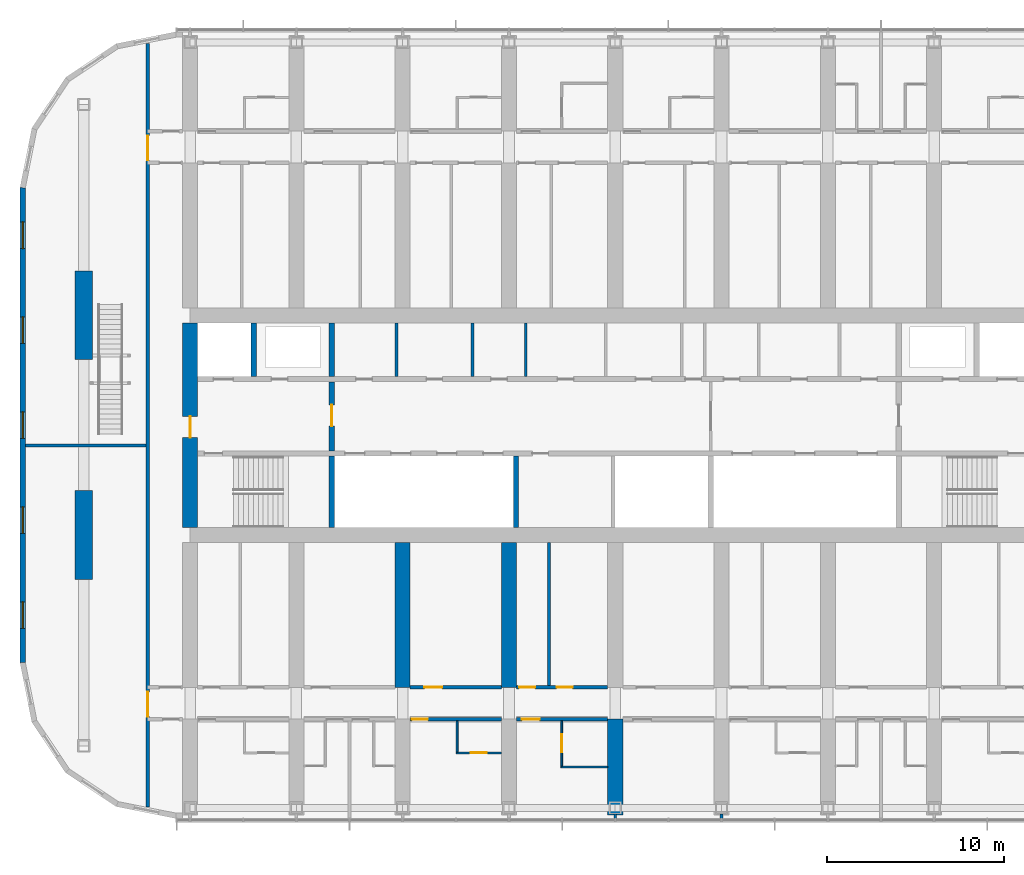
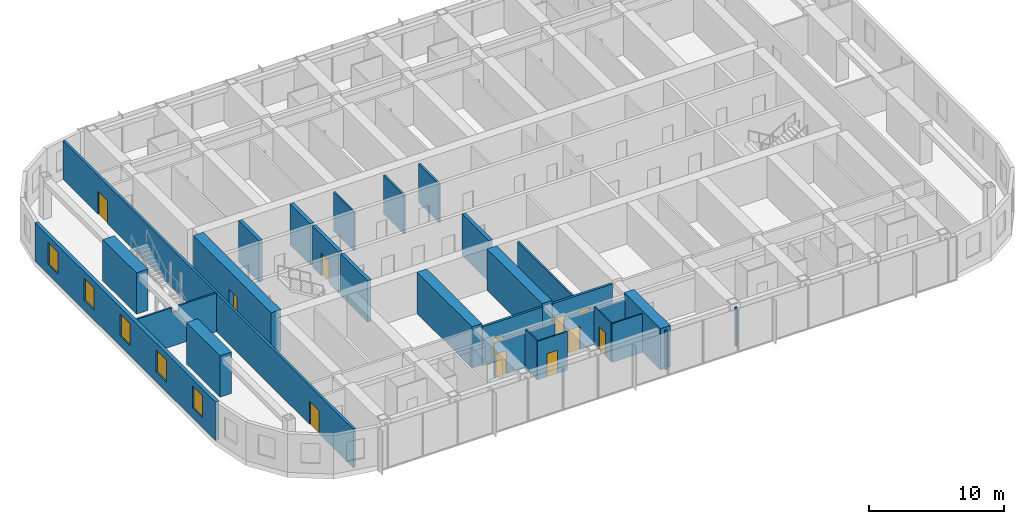
# One storey, part 14 of 28: 28 walls, 11 doors, 5 windows, 16 openings.
"""IFC4 building model written with IfcOpenShell, lengths in metres."""

from ifc_helpers import new_model, si_unit, direction, frame, frame_2d, origin, place, context, subcontext, project, spatial, polyline, rectangle, outline, extrude, material, layer, layer_set, type_object, element, fill, save


model = new_model("IFC4")

# Units and contexts
model_context = context("Model", 3, precision=1e-05, world=origin(), true_north=direction((0.0, 1.0)))
body_context = subcontext(model_context, "Body", "Model", "MODEL_VIEW")
ifc_project = project(units=[si_unit("LENGTHUNIT", "METRE"), si_unit("AREAUNIT", "SQUARE_METRE"), si_unit("VOLUMEUNIT", "CUBIC_METRE"), si_unit("PLANEANGLEUNIT", "RADIAN"), si_unit("MASSUNIT", "GRAM", prefix="KILO")], contexts=[model_context])

# Site, building, storey
site_placement = place(None, origin())
site = spatial("IfcSite", under=ifc_project, at=site_placement, CompositionType="ELEMENT")
building_placement = place(site_placement, origin())
building = spatial("IfcBuilding", under=site, at=building_placement, Name="Orbita Commons", CompositionType="ELEMENT")
storey_placement = place(building_placement, frame((0.0, 0.0, 193.60009765625)))
storey = spatial("IfcBuildingStorey", under=building, at=storey_placement, Name="L48", CompositionType="ELEMENT", Elevation=193.60009765625)

# Wall
ifc_material_1 = material(Name="Concrete C50/60", Category="concrete")
ifc_layer_1 = layer(ifc_material_1, 0.300048828125)
ifc_layer_set_1 = layer_set([ifc_layer_1], Name="Concrete C50/60")
wall_type_1 = type_object("IfcWallType", Name="Core inner wall 300 C50/60", PredefinedType="SHEAR", material=ifc_layer_set_1)
wall_1_placement = place(storey_placement, frame((26.0, 26.22509765625, 0.0), z_axis=(0.0, 0.0, 1.0), x_axis=(0.0, 1.0, 0.0)))
element("IfcWall", 1, at=wall_1_placement, inside=storey, type_object=wall_type_1, Name="Stair S1 wall L48", PredefinedType="SHEAR", context=body_context, shape_type="SweptSolid", body=[
    extrude(rectangle(XDim=4.02490234375, YDim=0.300048828125, at=frame_2d((2.012451171875, 0.0))), origin(), (0.0, 0.0, 1.0), 3.75),
])

# Wall, opening, door
wall_2_placement = place(storey_placement, frame((26.0, 30.550048828125, 0.0), z_axis=(0.0, 0.0, 1.0), x_axis=(0.0, 1.0, 0.0)))
wall_2 = element("IfcWall", 2, at=wall_2_placement, inside=storey, type_object=wall_type_1, Name="Firefighting lobby wall west L48", PredefinedType="SHEAR", context=body_context, shape_type="SweptSolid", body=[
    extrude(rectangle(XDim=3.89990234375, YDim=0.300048828125, at=frame_2d((1.949951171875, 0.0))), origin(), (0.0, 0.0, 1.0), 3.75),
])
opening_1_placement = place(wall_2_placement, frame((1.39990234375, 0.0, 0.0)))
opening_1 = element("IfcOpeningElement", 3, at=opening_1_placement, cuts=wall_2, Name="Opening D04", PredefinedType="OPENING", context=body_context, shape_type="SweptSolid", body=[
    extrude(rectangle(XDim=1.199951171875, YDim=2.10009765625, at=frame_2d((0.60009765625, 1.050048828125))), frame((0.0, 0.159912109375, 0.0), z_axis=(0.0, -1.0, 0.0), x_axis=(1.0, 0.0, 0.0)), (0.0, 0.0, 1.0), 0.320068359375),
])
ifc_material_2 = material(Name="Steel-faced fire door leaf", Category="steel")
door_type_1 = type_object("IfcDoorType", Name="Service door 20 min 1200x2100", OperationType="SINGLE_SWING_LEFT", PredefinedType="DOOR", material=ifc_material_2)
door_1_placement = place(opening_1_placement, origin())
door_1 = element("IfcDoor", 4, at=door_1_placement, inside=storey, type_object=door_type_1, Name="Lift lobby door west", OperationType="SINGLE_SWING_LEFT", OverallHeight=2.10009765625, OverallWidth=1.199951171875, PredefinedType="DOOR", context=body_context, shape_type="SweptSolid", body=[
    extrude(rectangle(XDim=1.199951171875, YDim=2.10009765625, at=frame_2d((0.60009765625, 1.050048828125))), frame((0.0, 0.02490234375, 0.0), z_axis=(0.0, -1.0, 0.0), x_axis=(1.0, 0.0, 0.0)), (0.0, 0.0, 1.0), 0.050048828125),
])
fill(opening_1, door_1)

# Walls
for number, where, z_axis, x_axis, name in (
    (5, (21.60009765625, 34.75, 0.0), (0.0, 0.0, 1.0), (0.0, 1.0, 0.0), "Firefighting lift FL1 shaft wall L48"),
    (6, (26.0, 34.75, 0.0), (0.0, 0.0, 1.0), (0.0, 1.0, 0.0), "Riser wall west L48"),
):
    element("IfcWall", number, at=place(storey_placement, frame(where, z_axis=z_axis, x_axis=x_axis)), inside=storey, type_object=wall_type_1, Name=name, PredefinedType="SHEAR", context=body_context, shape_type="SweptSolid", body=[
        extrude(rectangle(XDim=3.02490234375, YDim=0.300048828125, at=frame_2d((1.512451171875, 0.0))), origin(), (0.0, 0.0, 1.0), 3.75),
    ])
wall_3_placement = place(storey_placement, frame((36.39990234375, 26.22509765625, 0.0), z_axis=(0.0, 0.0, 1.0), x_axis=(0.0, 1.0, 0.0)))
element("IfcWall", 7, at=wall_3_placement, inside=storey, type_object=wall_type_1, Name="Hoistway division wall L48", PredefinedType="SHEAR", context=body_context, shape_type="SweptSolid", body=[
    extrude(rectangle(XDim=4.02490234375, YDim=0.300048828125, at=frame_2d((2.012451171875, 0.0))), origin(), (0.0, 0.0, 1.0), 3.75),
])
ifc_material_3 = material(Name="Concrete blockwork", Category="masonry")
ifc_layer_2 = layer(ifc_material_3, 0.14990234375)
ifc_layer_set_2 = layer_set([ifc_layer_2], Name="Concrete blockwork")
wall_type_2 = type_object("IfcWallType", Name="Core partition 150 blockwork", PredefinedType="SOLIDWALL", material=ifc_layer_set_2)
for number, where, z_axis, x_axis, name in (
    (8, (29.65087890625, 34.75, 0.0), (0.0, 0.0, 1.0), (0.0, 1.0, 0.0), "Core partition 150 blockwork L48"),
    (9, (33.9462890625, 34.75, 0.0), (0.0, 0.0, 1.0), (0.0, 1.0, 0.0), "Core partition 150 blockwork L48"),
    (10, (36.9462890625, 34.75, 0.0), (0.0, 0.0, 1.0), (0.0, 1.0, 0.0), "Core partition 150 blockwork L48"),
):
    element("IfcWall", number, at=place(storey_placement, frame(where, z_axis=z_axis, x_axis=x_axis)), inside=storey, type_object=wall_type_2, Name=name, PredefinedType="SOLIDWALL", context=body_context, shape_type="SweptSolid", body=[
        extrude(rectangle(XDim=3.02490234375, YDim=0.14990234375, at=frame_2d((1.512451171875, 0.0))), origin(), (0.0, 0.0, 1.0), 3.5),
    ])

# Wall, opening, door
ifc_material_4 = material(Name="Concrete C50/60", Category="concrete")
ifc_layer_3 = layer(ifc_material_4, 0.85009765625)
ifc_layer_set_3 = layer_set([ifc_layer_3], Name="Concrete C50/60")
wall_type_3 = type_object("IfcWallType", Name="Core wall 850 C50/60", PredefinedType="SHEAR", material=ifc_layer_set_3)
wall_4_placement = place(storey_placement, frame((18.0, 26.22509765625, 0.0), z_axis=(0.0, 0.0, 1.0), x_axis=(0.0, 1.0, 0.0)))
wall_4 = element("IfcWall", 11, at=wall_4_placement, inside=storey, type_object=wall_type_3, Name="Core end wall west L48", PredefinedType="SHEAR", context=body_context, shape_type="SweptSolid", body=[
    extrude(rectangle(XDim=11.5498046875, YDim=0.85009765625, at=frame_2d((5.77490234375, 0.0))), origin(), (0.0, 0.0, 1.0), 3.75),
])
opening_2_placement = place(wall_4_placement, frame((5.074951171875, 0.0, 0.0)))
opening_2 = element("IfcOpeningElement", 12, at=opening_2_placement, cuts=wall_4, Name="Opening D01", PredefinedType="OPENING", context=body_context, shape_type="SweptSolid", body=[
    extrude(rectangle(XDim=1.199951171875, YDim=2.10009765625, at=frame_2d((0.60009765625, 1.050048828125))), frame((0.0, 0.43505859375, 0.0), z_axis=(0.0, -1.0, 0.0), x_axis=(1.0, 0.0, 0.0)), (0.0, 0.0, 1.0), 0.8701171875),
])
ifc_material_5 = material(Name="Steel-faced fire door leaf", Category="steel")
door_type_2 = type_object("IfcDoorType", Name="Fire door 90 min 1200x2100", OperationType="SINGLE_SWING_LEFT", PredefinedType="DOOR", material=ifc_material_5)
door_2_placement = place(opening_2_placement, origin())
door_2 = element("IfcDoor", 13, at=door_2_placement, inside=storey, type_object=door_type_2, Name="Firefighting lobby west door", OperationType="SINGLE_SWING_LEFT", OverallHeight=2.10009765625, OverallWidth=1.199951171875, PredefinedType="DOOR", context=body_context, shape_type="SweptSolid", body=[
    extrude(rectangle(XDim=1.199951171875, YDim=2.10009765625, at=frame_2d((0.60009765625, 1.050048828125))), frame((0.0, 0.02490234375, 0.0), z_axis=(0.0, -1.0, 0.0), x_axis=(1.0, 0.0, 0.0)), (0.0, 0.0, 1.0), 0.050048828125),
])
fill(opening_2, door_2)

ifc_material_6 = material(Name="Concrete blockwork", Category="masonry")
ifc_layer_4 = layer(ifc_material_6, 0.199951171875)
ifc_layer_set_4 = layer_set([ifc_layer_4], Name="Concrete blockwork")
wall_type_4 = type_object("IfcWallType", Name="Corridor wall 200 blockwork", PredefinedType="SOLIDWALL", material=ifc_layer_set_4)
wall_5_placement = place(storey_placement, frame((30.425048828125, 15.39990234375, 0.0), z_axis=(0.0, 0.0, 1.0), x_axis=(1.0, 0.0, 0.0)))
wall_5 = element("IfcWall", 14, at=wall_5_placement, inside=storey, type_object=wall_type_4, Name="Corridor wall 200 blockwork L48", PredefinedType="SOLIDWALL", context=body_context, shape_type="SweptSolid", body=[
    extrude(outline(polyline([(0.0, 0.0), (5.14990234375, 0.0), (5.14990234375, 3.099853515625), (0.0, 3.099853515625), (0.0, 0.0)])), frame((0.0, 0.10009765625, 0.0), z_axis=(0.0, -1.0, 0.0), x_axis=(1.0, 0.0, 0.0)), (0.0, 0.0, 1.0), 0.199951171875),
])
opening_3_placement = place(wall_5_placement, frame((0.10009765625, 0.0, 0.0)))
opening_3 = element("IfcOpeningElement", 15, at=opening_3_placement, cuts=wall_5, Name="Opening D11", PredefinedType="OPENING", context=body_context, shape_type="SweptSolid", body=[
    extrude(rectangle(XDim=0.89990234375, YDim=2.10009765625, at=frame_2d((0.449951171875, 1.050048828125))), frame((0.0, 0.10986328125, 0.0), z_axis=(0.0, -1.0, 0.0), x_axis=(1.0, 0.0, 0.0)), (0.0, 0.0, 1.0), 0.219970703125),
])
ifc_material_7 = material(Name="Steel-faced fire door leaf", Category="steel")
door_type_3 = type_object("IfcDoorType", Name="Corridor door 20 min 900x2100", OperationType="SINGLE_SWING_LEFT", PredefinedType="DOOR", material=ifc_material_7)
door_3_placement = place(opening_3_placement, origin())
door_3 = element("IfcDoor", 16, at=door_3_placement, inside=storey, type_object=door_type_3, Name="Twin room L48-S04 door", OperationType="SINGLE_SWING_LEFT", OverallHeight=2.10009765625, OverallWidth=0.89990234375, PredefinedType="DOOR", context=body_context, shape_type="SweptSolid", body=[
    extrude(rectangle(XDim=0.89990234375, YDim=2.10009765625, at=frame_2d((0.449951171875, 1.050048828125))), frame((0.0, 0.02490234375, 0.0), z_axis=(0.0, -1.0, 0.0), x_axis=(1.0, 0.0, 0.0)), (0.0, 0.0, 1.0), 0.050048828125),
])
fill(opening_3, door_3)

wall_6_placement = place(storey_placement, frame((36.425048828125, 15.39990234375, 0.0), z_axis=(0.0, 0.0, 1.0), x_axis=(1.0, 0.0, 0.0)))
wall_6 = element("IfcWall", 17, at=wall_6_placement, inside=storey, type_object=wall_type_4, Name="Corridor wall 200 blockwork L48", PredefinedType="SOLIDWALL", context=body_context, shape_type="SweptSolid", body=[
    extrude(outline(polyline([(0.0, 0.0), (5.14990234375, 0.0), (5.14990234375, 3.099853515625), (0.0, 3.099853515625), (0.0, 0.0)])), frame((0.0, 0.10009765625, 0.0), z_axis=(0.0, -1.0, 0.0), x_axis=(1.0, 0.0, 0.0)), (0.0, 0.0, 1.0), 0.199951171875),
])
opening_4_placement = place(wall_6_placement, frame((0.300048828125, 0.0, 0.0)))
opening_4 = element("IfcOpeningElement", 18, at=opening_4_placement, cuts=wall_6, Name="Opening D06", PredefinedType="OPENING", context=body_context, shape_type="SweptSolid", body=[
    extrude(rectangle(XDim=1.0, YDim=2.10009765625, at=frame_2d((0.5, 1.050048828125))), frame((0.0, 0.10986328125, 0.0), z_axis=(0.0, -1.0, 0.0), x_axis=(1.0, 0.0, 0.0)), (0.0, 0.0, 1.0), 0.219970703125),
])
ifc_material_8 = material(Name="Steel-faced fire door leaf", Category="steel")
door_type_4 = type_object("IfcDoorType", Name="Corridor door 20 min 1000x2100", OperationType="SINGLE_SWING_LEFT", PredefinedType="DOOR", material=ifc_material_8)
door_4_placement = place(opening_4_placement, origin())
door_4 = element("IfcDoor", 19, at=door_4_placement, inside=storey, type_object=door_type_4, Name="Accessible bedroom L48-S06 door", OperationType="SINGLE_SWING_LEFT", OverallHeight=2.10009765625, OverallWidth=1.0, PredefinedType="DOOR", context=body_context, shape_type="SweptSolid", body=[
    extrude(rectangle(XDim=1.0, YDim=2.10009765625, at=frame_2d((0.5, 1.050048828125))), frame((0.0, 0.02490234375, 0.0), z_axis=(0.0, -1.0, 0.0), x_axis=(1.0, 0.0, 0.0)), (0.0, 0.0, 1.0), 0.050048828125),
])
fill(opening_4, door_4)

# Wall, openings, doors
wall_7_placement = place(storey_placement, frame((15.60009765625, 10.4462890625, 0.0), z_axis=(0.0, 0.0, 1.0), x_axis=(0.0, 1.0, 0.0)))
wall_7 = element("IfcWall", 20, at=wall_7_placement, inside=storey, type_object=wall_type_4, Name="Corridor wall 200 blockwork L48", PredefinedType="SOLIDWALL", context=body_context, shape_type="SweptSolid", body=[
    extrude(rectangle(XDim=43.107421875, YDim=0.199951171875, at=frame_2d((21.5537109375, 0.0))), origin(), (0.0, 0.0, 1.0), 3.5),
])
opening_5_placement = place(wall_7_placement, frame((5.103759765625, 0.0, 0.0)))
opening_5 = element("IfcOpeningElement", 21, at=opening_5_placement, cuts=wall_7, Name="Opening D08", PredefinedType="OPENING", context=body_context, shape_type="SweptSolid", body=[
    extrude(rectangle(XDim=1.39990234375, YDim=2.10009765625, at=frame_2d((0.699951171875, 1.050048828125))), frame((0.0, 0.10986328125, 0.0), z_axis=(0.0, -1.0, 0.0), x_axis=(1.0, 0.0, 0.0)), (0.0, 0.0, 1.0), 0.219970703125),
])
opening_6_placement = place(wall_7_placement, frame((36.50390625, 0.0, 0.0)))
opening_6 = element("IfcOpeningElement", 22, at=opening_6_placement, cuts=wall_7, Name="Opening D08", PredefinedType="OPENING", context=body_context, shape_type="SweptSolid", body=[
    extrude(rectangle(XDim=1.39990234375, YDim=2.10009765625, at=frame_2d((0.699951171875, 1.050048828125))), frame((0.0, 0.10986328125, 0.0), z_axis=(0.0, -1.0, 0.0), x_axis=(1.0, 0.0, 0.0)), (0.0, 0.0, 1.0), 0.219970703125),
])
ifc_material_9 = material(Name="Steel-faced fire door leaf", Category="steel")
door_type_5 = type_object("IfcDoorType", Name="Double corridor door 20 min 1400x2100", OperationType="DOUBLE_DOOR_SINGLE_SWING", PredefinedType="DOOR", material=ifc_material_9)
door_5_placement = place(opening_5_placement, origin())
door_5 = element("IfcDoor", 23, at=door_5_placement, inside=storey, type_object=door_type_5, Name="Lounge doors", OperationType="DOUBLE_DOOR_SINGLE_SWING", OverallHeight=2.10009765625, OverallWidth=1.39990234375, PredefinedType="DOOR", context=body_context, shape_type="SweptSolid", body=[
    extrude(rectangle(XDim=1.39990234375, YDim=2.10009765625, at=frame_2d((0.699951171875, 1.050048828125))), frame((0.0, 0.02490234375, 0.0), z_axis=(0.0, -1.0, 0.0), x_axis=(1.0, 0.0, 0.0)), (0.0, 0.0, 1.0), 0.050048828125),
])
fill(opening_5, door_5)
door_6_placement = place(opening_6_placement, origin())
door_6 = element("IfcDoor", 24, at=door_6_placement, inside=storey, type_object=door_type_5, Name="Lounge doors", OperationType="DOUBLE_DOOR_SINGLE_SWING", OverallHeight=2.10009765625, OverallWidth=1.39990234375, PredefinedType="DOOR", context=body_context, shape_type="SweptSolid", body=[
    extrude(rectangle(XDim=1.39990234375, YDim=2.10009765625, at=frame_2d((0.699951171875, 1.050048828125))), frame((0.0, 0.02490234375, 0.0), z_axis=(0.0, -1.0, 0.0), x_axis=(1.0, 0.0, 0.0)), (0.0, 0.0, 1.0), 0.050048828125),
])
fill(opening_6, door_6)

# Wall, opening, door
ifc_material_10 = material(Name="Hollow concrete block 200", Category="concrete")
ifc_layer_5 = layer(ifc_material_10, 0.199951171875)
ifc_layer_set_5 = layer_set([ifc_layer_5], Name="Hollow concrete block 200")
wall_type_5 = type_object("IfcWallType", Name="Corridor wall 200 hollow concrete block", PredefinedType="SOLIDWALL", material=ifc_layer_set_5)
wall_8_placement = place(storey_placement, frame((30.425048828125, 17.199951171875, 0.0), z_axis=(0.0, 0.0, 1.0), x_axis=(1.0, 0.0, 0.0)))
wall_8 = element("IfcWall", 25, at=wall_8_placement, inside=storey, type_object=wall_type_5, Name="Corridor wall 200 hollow concrete block L48", PredefinedType="SOLIDWALL", context=body_context, shape_type="SweptSolid", body=[
    extrude(rectangle(XDim=5.14990234375, YDim=0.199951171875, at=frame_2d((2.574951171875, 0.0))), origin(), (0.0, 0.0, 1.0), 3.5),
])
opening_7_placement = place(wall_8_placement, frame((0.800048828125, 0.0, 0.0)))
opening_7 = element("IfcOpeningElement", 26, at=opening_7_placement, cuts=wall_8, Name="Opening D06", PredefinedType="OPENING", context=body_context, shape_type="SweptSolid", body=[
    extrude(rectangle(XDim=1.0, YDim=2.10009765625, at=frame_2d((0.5, 1.050048828125))), frame((0.0, 0.10986328125, 0.0), z_axis=(0.0, -1.0, 0.0), x_axis=(1.0, 0.0, 0.0)), (0.0, 0.0, 1.0), 0.219970703125),
])
door_7_placement = place(opening_7_placement, origin())
door_7 = element("IfcDoor", 27, at=door_7_placement, inside=storey, type_object=door_type_4, Name="Ventilation plant room south L48-BDS30 door", OperationType="SINGLE_SWING_LEFT", OverallHeight=2.10009765625, OverallWidth=1.0, PredefinedType="DOOR", context=body_context, shape_type="SweptSolid", body=[
    extrude(rectangle(XDim=1.0, YDim=2.10009765625, at=frame_2d((0.5, 1.050048828125))), frame((0.0, 0.02490234375, 0.0), z_axis=(0.0, -1.0, 0.0), x_axis=(1.0, 0.0, 0.0)), (0.0, 0.0, 1.0), 0.050048828125),
])
fill(opening_7, door_7)

# Wall, openings, doors
wall_9_placement = place(storey_placement, frame((36.425048828125, 17.199951171875, 0.0), z_axis=(0.0, 0.0, 1.0), x_axis=(1.0, 0.0, 0.0)))
wall_9 = element("IfcWall", 28, at=wall_9_placement, inside=storey, type_object=wall_type_5, Name="Corridor wall 200 hollow concrete block L48", PredefinedType="SOLIDWALL", context=body_context, shape_type="SweptSolid", body=[
    extrude(rectangle(XDim=5.14990234375, YDim=0.199951171875, at=frame_2d((2.574951171875, 0.0))), origin(), (0.0, 0.0, 1.0), 3.5),
])
opening_8_placement = place(wall_9_placement, frame((0.14990234375, 0.0, 0.0)))
opening_8 = element("IfcOpeningElement", 29, at=opening_8_placement, cuts=wall_9, Name="Opening D11", PredefinedType="OPENING", context=body_context, shape_type="SweptSolid", body=[
    extrude(rectangle(XDim=0.89990234375, YDim=2.10009765625, at=frame_2d((0.449951171875, 1.050048828125))), frame((0.0, 0.10986328125, 0.0), z_axis=(0.0, -1.0, 0.0), x_axis=(1.0, 0.0, 0.0)), (0.0, 0.0, 1.0), 0.219970703125),
])
opening_9_placement = place(wall_9_placement, frame((2.264892578125, 0.0, 0.0)))
opening_9 = element("IfcOpeningElement", 30, at=opening_9_placement, cuts=wall_9, Name="Opening D11", PredefinedType="OPENING", context=body_context, shape_type="SweptSolid", body=[
    extrude(rectangle(XDim=0.89990234375, YDim=2.10009765625, at=frame_2d((0.449951171875, 1.050048828125))), frame((0.0, 0.10986328125, 0.0), z_axis=(0.0, -1.0, 0.0), x_axis=(1.0, 0.0, 0.0)), (0.0, 0.0, 1.0), 0.219970703125),
])
door_8_placement = place(opening_8_placement, origin())
door_8 = element("IfcDoor", 31, at=door_8_placement, inside=storey, type_object=door_type_3, Name="Sprinkler valve room L48-BDS36n door", OperationType="SINGLE_SWING_LEFT", OverallHeight=2.10009765625, OverallWidth=0.89990234375, PredefinedType="DOOR", context=body_context, shape_type="SweptSolid", body=[
    extrude(rectangle(XDim=0.89990234375, YDim=2.10009765625, at=frame_2d((0.449951171875, 1.050048828125))), frame((0.0, 0.02490234375, 0.0), z_axis=(0.0, -1.0, 0.0), x_axis=(1.0, 0.0, 0.0)), (0.0, 0.0, 1.0), 0.050048828125),
])
fill(opening_8, door_8)
door_9_placement = place(opening_9_placement, origin())
door_9 = element("IfcDoor", 32, at=door_9_placement, inside=storey, type_object=door_type_3, Name="Fitness room L48-BDS36 door", OperationType="SINGLE_SWING_LEFT", OverallHeight=2.10009765625, OverallWidth=0.89990234375, PredefinedType="DOOR", context=body_context, shape_type="SweptSolid", body=[
    extrude(rectangle(XDim=0.89990234375, YDim=2.10009765625, at=frame_2d((0.449951171875, 1.050048828125))), frame((0.0, 0.02490234375, 0.0), z_axis=(0.0, -1.0, 0.0), x_axis=(1.0, 0.0, 0.0)), (0.0, 0.0, 1.0), 0.050048828125),
])
fill(opening_9, door_9)

# Walls
ifc_material_11 = material(Name="Concrete C50/60", Category="concrete")
ifc_layer_6 = layer(ifc_material_11, 0.85009765625)
ifc_layer_set_6 = layer_set([ifc_layer_6], Name="Concrete C50/60")
wall_type_6 = type_object("IfcWallType", Name="Cross wall 850 C50/60", PredefinedType="SHEAR", material=ifc_layer_set_6)
for number, where, z_axis, x_axis, name in (
    (33, (30.0, 17.199951171875, 0.0), (0.0, 0.0, 1.0), (0.0, 1.0, 0.0), "Cross wall 6 south inner L48"),
    (34, (36.0, 17.199951171875, 0.0), (0.0, 0.0, 1.0), (0.0, 1.0, 0.0), "Cross wall 7 south inner L48"),
):
    element("IfcWall", number, at=place(storey_placement, frame(where, z_axis=z_axis, x_axis=x_axis)), inside=storey, type_object=wall_type_6, Name=name, PredefinedType="SHEAR", context=body_context, shape_type="SweptSolid", body=[
        extrude(rectangle(XDim=8.175048828125, YDim=0.85009765625, at=frame_2d((4.08740234375, 0.0))), origin(), (0.0, 0.0, 1.0), 3.75),
    ])
wall_10_placement = place(storey_placement, frame((42.0, 10.0, 0.0), z_axis=(0.0, 0.0, 1.0), x_axis=(0.0, 1.0, 0.0)))
element("IfcWall", 35, at=wall_10_placement, inside=storey, type_object=wall_type_6, Name="Cross wall 8 south outer L48", PredefinedType="SHEAR", context=body_context, shape_type="SweptSolid", body=[
    extrude(rectangle(XDim=5.39990234375, YDim=0.85009765625, at=frame_2d((2.699951171875, 0.0))), origin(), (0.0, 0.0, 1.0), 3.75),
])

# Wall, opening, door
ifc_material_12 = material(Name="Moisture-resistant plasterboard on steel studs", Category="steel")
ifc_layer_7 = layer(ifc_material_12, 0.10009765625)
ifc_layer_set_7 = layer_set([ifc_layer_7], Name="Moisture-resistant plasterboard on steel studs")
wall_type_7 = type_object("IfcWallType", Name="En-suite partition 100", PredefinedType="PARTITIONING", material=ifc_layer_set_7)
wall_11_placement = place(storey_placement, frame((35.574951171875, 13.5, 0.0), z_axis=(0.0, 0.0, 1.0), x_axis=(-1.0, 0.0, 0.0)))
wall_11 = element("IfcWall", 36, at=wall_11_placement, inside=storey, type_object=wall_type_7, Name="En-suite partition 100 L48", PredefinedType="PARTITIONING", context=body_context, shape_type="SweptSolid", body=[
    extrude(rectangle(XDim=2.550048828125, YDim=0.10009765625, at=frame_2d((1.27490234375, 0.0))), origin(), (0.0, 0.0, 1.0), 3.5),
])
opening_10_placement = place(wall_11_placement, frame((0.824951171875, 0.0, 0.0)))
opening_10 = element("IfcOpeningElement", 37, at=opening_10_placement, cuts=wall_11, Name="Opening D09", PredefinedType="OPENING", context=body_context, shape_type="SweptSolid", body=[
    extrude(rectangle(XDim=0.89990234375, YDim=2.10009765625, at=frame_2d((0.449951171875, 1.050048828125))), frame((0.0, 0.06005859375, 0.0), z_axis=(0.0, -1.0, 0.0), x_axis=(1.0, 0.0, 0.0)), (0.0, 0.0, 1.0), 0.1201171875),
])
ifc_material_13 = material(Name="Laminated timber door leaf", Category="wood")
door_type_6 = type_object("IfcDoorType", Name="En-suite door 900x2100", OperationType="SINGLE_SWING_RIGHT", PredefinedType="DOOR", material=ifc_material_13)
door_10_placement = place(opening_10_placement, origin())
door_10 = element("IfcDoor", 38, at=door_10_placement, inside=storey, type_object=door_type_6, Name="En-suite L48-S04 door", OperationType="SINGLE_SWING_RIGHT", OverallHeight=2.10009765625, OverallWidth=0.89990234375, PredefinedType="DOOR", context=body_context, shape_type="SweptSolid", body=[
    extrude(rectangle(XDim=0.89990234375, YDim=2.10009765625, at=frame_2d((0.449951171875, 1.050048828125))), frame((0.0, 0.02490234375, 0.0), z_axis=(0.0, -1.0, 0.0), x_axis=(1.0, 0.0, 0.0)), (0.0, 0.0, 1.0), 0.050048828125),
])
fill(opening_10, door_10)

# Walls
wall_12_placement = place(storey_placement, frame((33.074951171875, 13.550048828125, 0.0), z_axis=(0.0, 0.0, 1.0), x_axis=(0.0, 1.0, 0.0)))
element("IfcWall", 39, at=wall_12_placement, inside=storey, type_object=wall_type_7, Name="En-suite partition 100 L48", PredefinedType="PARTITIONING", context=body_context, shape_type="SweptSolid", body=[
    extrude(outline(polyline([(0.0, 0.0), (1.75, 0.0), (1.75, 3.099853515625), (1.701904296875, 3.099853515625), (1.699951171875, 3.5), (0.0, 3.5), (0.0, 0.0)])), frame((0.0, 0.050048828125, 0.0), z_axis=(0.0, -1.0, 0.0), x_axis=(1.0, 0.0, 0.0)), (0.0, 0.0, 1.0), 0.10009765625),
])
wall_13_placement = place(storey_placement, frame((38.925048828125, 12.699951171875, 0.0), z_axis=(0.0, 0.0, 1.0), x_axis=(1.0, 0.0, 0.0)))
element("IfcWall", 40, at=wall_13_placement, inside=storey, type_object=wall_type_7, Name="En-suite partition 100 L48", PredefinedType="PARTITIONING", context=body_context, shape_type="SweptSolid", body=[
    extrude(rectangle(XDim=2.64990234375, YDim=0.10009765625, at=frame_2d((1.324951171875, 0.0))), origin(), (0.0, 0.0, 1.0), 3.5),
])

# Wall, opening, door
wall_14_placement = place(storey_placement, frame((38.97509765625, 12.75, 0.0), z_axis=(0.0, 0.0, 1.0), x_axis=(0.0, 1.0, 0.0)))
wall_14 = element("IfcWall", 41, at=wall_14_placement, inside=storey, type_object=wall_type_7, Name="En-suite partition 100 L48", PredefinedType="PARTITIONING", context=body_context, shape_type="SweptSolid", body=[
    extrude(outline(polyline([(0.0, 0.0), (2.550048828125, 0.0), (2.550048828125, 3.099853515625), (2.501953125, 3.099853515625), (2.5, 3.5), (0.0, 3.5), (0.0, 0.0)])), frame((0.0, 0.050048828125, 0.0), z_axis=(0.0, -1.0, 0.0), x_axis=(1.0, 0.0, 0.0)), (0.0, 0.0, 1.0), 0.10009765625),
])
opening_11_placement = place(wall_14_placement, frame((0.800048828125, 0.0, 0.0)))
opening_11 = element("IfcOpeningElement", 42, at=opening_11_placement, cuts=wall_14, Name="Opening D13", PredefinedType="OPENING", context=body_context, shape_type="SweptSolid", body=[
    extrude(rectangle(XDim=1.0, YDim=2.10009765625, at=frame_2d((0.5, 1.050048828125))), frame((0.0, 0.06005859375, 0.0), z_axis=(0.0, -1.0, 0.0), x_axis=(1.0, 0.0, 0.0)), (0.0, 0.0, 1.0), 0.1201171875),
])
ifc_material_14 = material(Name="Laminated timber door leaf", Category="wood")
door_type_7 = type_object("IfcDoorType", Name="En-suite door 1000x2100", OperationType="SINGLE_SWING_RIGHT", PredefinedType="DOOR", material=ifc_material_14)
door_11_placement = place(opening_11_placement, origin())
door_11 = element("IfcDoor", 43, at=door_11_placement, inside=storey, type_object=door_type_7, Name="Accessible shower room L48-S06 door", OperationType="SINGLE_SWING_RIGHT", OverallHeight=2.10009765625, OverallWidth=1.0, PredefinedType="DOOR", context=body_context, shape_type="SweptSolid", body=[
    extrude(rectangle(XDim=1.0, YDim=2.10009765625, at=frame_2d((0.5, 1.050048828125))), frame((0.0, 0.02490234375, 0.0), z_axis=(0.0, -1.0, 0.0), x_axis=(1.0, 0.0, 0.0)), (0.0, 0.0, 1.0), 0.050048828125),
])
fill(opening_11, door_11)

# Walls
ifc_material_15 = material(Name="Concrete C50/60", Category="concrete")
ifc_layer_8 = layer(ifc_material_15, 1.0)
ifc_layer_set_8 = layer_set([ifc_layer_8], Name="Concrete C50/60")
wall_type_8 = type_object("IfcWallType", Name="End pier 1000x5000 C50/60", PredefinedType="SHEAR", material=ifc_layer_set_8)
for number, where, z_axis, x_axis, name in (
    (44, (12.0, 23.300048828125, 0.0), (0.0, 0.0, 1.0), (0.0, 1.0, 0.0), "End pier 3/C L48"),
    (45, (12.0, 35.699951171875, 0.0), (0.0, 0.0, 1.0), (0.0, 1.0, 0.0), "End pier 3/D L48"),
):
    element("IfcWall", number, at=place(storey_placement, frame(where, z_axis=z_axis, x_axis=x_axis)), inside=storey, type_object=wall_type_8, Name=name, PredefinedType="SHEAR", context=body_context, shape_type="SweptSolid", body=[
        extrude(rectangle(XDim=5.0, YDim=1.0, at=frame_2d((2.5, 0.0))), origin(), (0.0, 0.0, 1.0), 3.75),
    ])
ifc_material_16 = material(Name="Gypsum plasterboard on steel studs", Category="steel")
ifc_layer_9 = layer(ifc_material_16, 0.14990234375)
ifc_layer_set_9 = layer_set([ifc_layer_9], Name="Gypsum plasterboard on steel studs")
wall_type_9 = type_object("IfcWallType", Name="Partition 150 plasterboard", PredefinedType="PARTITIONING", material=ifc_layer_set_9)
wall_15_placement = place(storey_placement, frame((38.264892578125, 17.300048828125, 0.0), z_axis=(0.0, 0.0, 1.0), x_axis=(0.0, 1.0, 0.0)))
element("IfcWall", 46, at=wall_15_placement, inside=storey, type_object=wall_type_9, Name="Partition 150 plasterboard L48", PredefinedType="PARTITIONING", context=body_context, shape_type="SweptSolid", body=[
    extrude(rectangle(XDim=8.074951171875, YDim=0.14990234375, at=frame_2d((4.03759765625, 0.0))), origin(), (0.0, 0.0, 1.0), 3.5),
])
wall_16_placement = place(storey_placement, frame((8.705078125, 30.85009765625, 0.0), z_axis=(0.0, 0.0, 1.0), x_axis=(1.0, 0.0, 0.0)))
element("IfcWall", 47, at=wall_16_placement, inside=storey, type_object=wall_type_9, Name="Partition 150 plasterboard L48", PredefinedType="PARTITIONING", context=body_context, shape_type="SweptSolid", body=[
    extrude(outline(polyline([(0.0, 0.0), (6.81982421875, 0.0), (6.820068359375, 3.5), (3.596923828125, 3.5), (3.594970703125, 3.0498046875), (2.9970703125, 3.0498046875), (2.9951171875, 3.5), (0.0, 3.5), (0.0, 0.0)])), frame((0.0, 0.074951171875, 0.0), z_axis=(0.0, -1.0, 0.0), x_axis=(1.0, 0.0, 0.0)), (0.0, 0.0, 1.0), 0.14990234375),
])
for number, where, z_axis, x_axis, name in (
    (48, (42.0, 10.050048828125, 0.0), (0.0, 0.0, 1.0), (0.0, -1.0, 0.0), "Partition 150 plasterboard L48"),
    (49, (48.0, 10.050048828125, 0.0), (0.0, 0.0, 1.0), (0.0, -1.0, 0.0), "Partition 150 plasterboard L48"),
):
    element("IfcWall", number, at=place(storey_placement, frame(where, z_axis=z_axis, x_axis=x_axis)), inside=storey, type_object=wall_type_9, Name=name, PredefinedType="PARTITIONING", context=body_context, shape_type="SweptSolid", body=[
        extrude(rectangle(XDim=0.239990234375, YDim=0.14990234375, at=frame_2d((0.1201171875, 0.0))), origin(), (0.0, 0.0, 1.0), 3.5),
    ])

# Wall, openings, windows
ifc_material_17 = material(Name="Precast concrete C40/50, white board-marked finish", Category="concrete")
ifc_layer_10 = layer(ifc_material_17, 0.300048828125)
ifc_layer_set_10 = layer_set([ifc_layer_10], Name="Precast concrete C40/50, white board-marked finish")
wall_type_10 = type_object("IfcWallType", Name="Precast concrete end shield 300", PredefinedType="SOLIDWALL", material=ifc_layer_set_10)
wall_17_placement = place(storey_placement, frame((8.550048828125, 45.39990234375, 0.0), z_axis=(0.0, 0.0, 1.0), x_axis=(0.0, -1.0, 0.0)))
wall_17 = element("IfcWall", 50, at=wall_17_placement, inside=storey, type_object=wall_type_10, Name="End shield W L48", PredefinedType="SOLIDWALL", context=body_context, shape_type="SweptSolid", body=[
    extrude(outline(polyline([(-0.014892578125, -0.14990234375), (26.814697265625, -0.14990234375), (26.784912109375, 0.14990234375), (0.014892578125, 0.14990234375), (-0.014892578125, -0.14990234375)])), origin(), (0.0, 0.0, 1.0), 3.5),
])
opening_12_placement = place(wall_17_placement, frame((1.929931640625, 0.0, 0.89990234375)))
opening_12 = element("IfcOpeningElement", 51, at=opening_12_placement, cuts=wall_17, Name="Opening W01", PredefinedType="OPENING", context=body_context, shape_type="SweptSolid", body=[
    extrude(rectangle(XDim=1.5, YDim=2.0, at=frame_2d((0.75, 1.0))), frame((0.0, 0.159912109375, 0.0), z_axis=(0.0, -1.0, 0.0), x_axis=(1.0, 0.0, 0.0)), (0.0, 0.0, 1.0), 0.320068359375),
])
opening_13_placement = place(wall_17_placement, frame((7.2900390625, 0.0, 0.89990234375)))
opening_13 = element("IfcOpeningElement", 52, at=opening_13_placement, cuts=wall_17, Name="Opening W01", PredefinedType="OPENING", context=body_context, shape_type="SweptSolid", body=[
    extrude(rectangle(XDim=1.5, YDim=2.0, at=frame_2d((0.75, 1.0))), frame((0.0, 0.159912109375, 0.0), z_axis=(0.0, -1.0, 0.0), x_axis=(1.0, 0.0, 0.0)), (0.0, 0.0, 1.0), 0.320068359375),
])
opening_14_placement = place(wall_17_placement, frame((12.64990234375, 0.0, 0.89990234375)))
opening_14 = element("IfcOpeningElement", 53, at=opening_14_placement, cuts=wall_17, Name="Opening W01", PredefinedType="OPENING", context=body_context, shape_type="SweptSolid", body=[
    extrude(rectangle(XDim=1.5, YDim=2.0, at=frame_2d((0.75, 1.0))), frame((0.0, 0.159912109375, 0.0), z_axis=(0.0, -1.0, 0.0), x_axis=(1.0, 0.0, 0.0)), (0.0, 0.0, 1.0), 0.320068359375),
])
opening_15_placement = place(wall_17_placement, frame((18.010009765625, 0.0, 0.89990234375)))
opening_15 = element("IfcOpeningElement", 54, at=opening_15_placement, cuts=wall_17, Name="Opening W01", PredefinedType="OPENING", context=body_context, shape_type="SweptSolid", body=[
    extrude(rectangle(XDim=1.5, YDim=2.0, at=frame_2d((0.75, 1.0))), frame((0.0, 0.159912109375, 0.0), z_axis=(0.0, -1.0, 0.0), x_axis=(1.0, 0.0, 0.0)), (0.0, 0.0, 1.0), 0.320068359375),
])
opening_16_placement = place(wall_17_placement, frame((23.3701171875, 0.0, 0.89990234375)))
opening_16 = element("IfcOpeningElement", 55, at=opening_16_placement, cuts=wall_17, Name="Opening W01", PredefinedType="OPENING", context=body_context, shape_type="SweptSolid", body=[
    extrude(rectangle(XDim=1.5, YDim=2.0, at=frame_2d((0.75, 1.0))), frame((0.0, 0.159912109375, 0.0), z_axis=(0.0, -1.0, 0.0), x_axis=(1.0, 0.0, 0.0)), (0.0, 0.0, 1.0), 0.320068359375),
])
ifc_material_18 = material(Name="Aluminium frame, clear double glazing", Category="aluminium")
window_type = type_object("IfcWindowType", Name="Deep-set window 1500x2000", PartitioningType="SINGLE_PANEL", PredefinedType="WINDOW", material=ifc_material_18)
window_1_placement = place(opening_12_placement, origin())
window_1 = element("IfcWindow", 56, at=window_1_placement, inside=storey, type_object=window_type, Name="Window L48-W 1", OverallHeight=2.0, OverallWidth=1.5, PartitioningType="SINGLE_PANEL", PredefinedType="WINDOW", context=body_context, shape_type="SweptSolid", body=[
    extrude(rectangle(XDim=1.5, YDim=2.0, at=frame_2d((0.75, 1.0))), frame((0.0, 0.030029296875, 0.0), z_axis=(0.0, -1.0, 0.0), x_axis=(1.0, 0.0, 0.0)), (0.0, 0.0, 1.0), 0.06005859375),
])
fill(opening_12, window_1)
window_2_placement = place(opening_13_placement, origin())
window_2 = element("IfcWindow", 57, at=window_2_placement, inside=storey, type_object=window_type, Name="Window L48-W 2", OverallHeight=2.0, OverallWidth=1.5, PartitioningType="SINGLE_PANEL", PredefinedType="WINDOW", context=body_context, shape_type="SweptSolid", body=[
    extrude(rectangle(XDim=1.5, YDim=2.0, at=frame_2d((0.75, 1.0))), frame((0.0, 0.030029296875, 0.0), z_axis=(0.0, -1.0, 0.0), x_axis=(1.0, 0.0, 0.0)), (0.0, 0.0, 1.0), 0.06005859375),
])
fill(opening_13, window_2)
window_3_placement = place(opening_14_placement, origin())
window_3 = element("IfcWindow", 58, at=window_3_placement, inside=storey, type_object=window_type, Name="Window L48-W 3", OverallHeight=2.0, OverallWidth=1.5, PartitioningType="SINGLE_PANEL", PredefinedType="WINDOW", context=body_context, shape_type="SweptSolid", body=[
    extrude(rectangle(XDim=1.5, YDim=2.0, at=frame_2d((0.75, 1.0))), frame((0.0, 0.030029296875, 0.0), z_axis=(0.0, -1.0, 0.0), x_axis=(1.0, 0.0, 0.0)), (0.0, 0.0, 1.0), 0.06005859375),
])
fill(opening_14, window_3)
window_4_placement = place(opening_15_placement, origin())
window_4 = element("IfcWindow", 59, at=window_4_placement, inside=storey, type_object=window_type, Name="Window L48-W 4", OverallHeight=2.0, OverallWidth=1.5, PartitioningType="SINGLE_PANEL", PredefinedType="WINDOW", context=body_context, shape_type="SweptSolid", body=[
    extrude(rectangle(XDim=1.5, YDim=2.0, at=frame_2d((0.75, 1.0))), frame((0.0, 0.030029296875, 0.0), z_axis=(0.0, -1.0, 0.0), x_axis=(1.0, 0.0, 0.0)), (0.0, 0.0, 1.0), 0.06005859375),
])
fill(opening_15, window_4)
window_5_placement = place(opening_16_placement, origin())
window_5 = element("IfcWindow", 60, at=window_5_placement, inside=storey, type_object=window_type, Name="Window L48-W 5", OverallHeight=2.0, OverallWidth=1.5, PartitioningType="SINGLE_PANEL", PredefinedType="WINDOW", context=body_context, shape_type="SweptSolid", body=[
    extrude(rectangle(XDim=1.5, YDim=2.0, at=frame_2d((0.75, 1.0))), frame((0.0, 0.030029296875, 0.0), z_axis=(0.0, -1.0, 0.0), x_axis=(1.0, 0.0, 0.0)), (0.0, 0.0, 1.0), 0.06005859375),
])
fill(opening_16, window_5)

save(model, "model.ifc")
